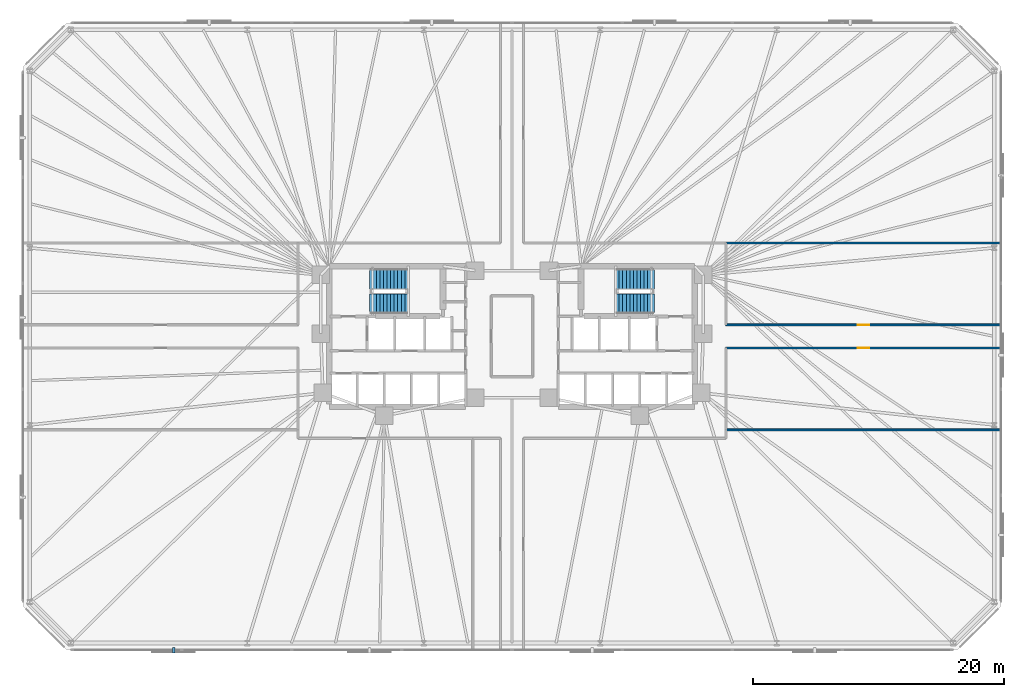
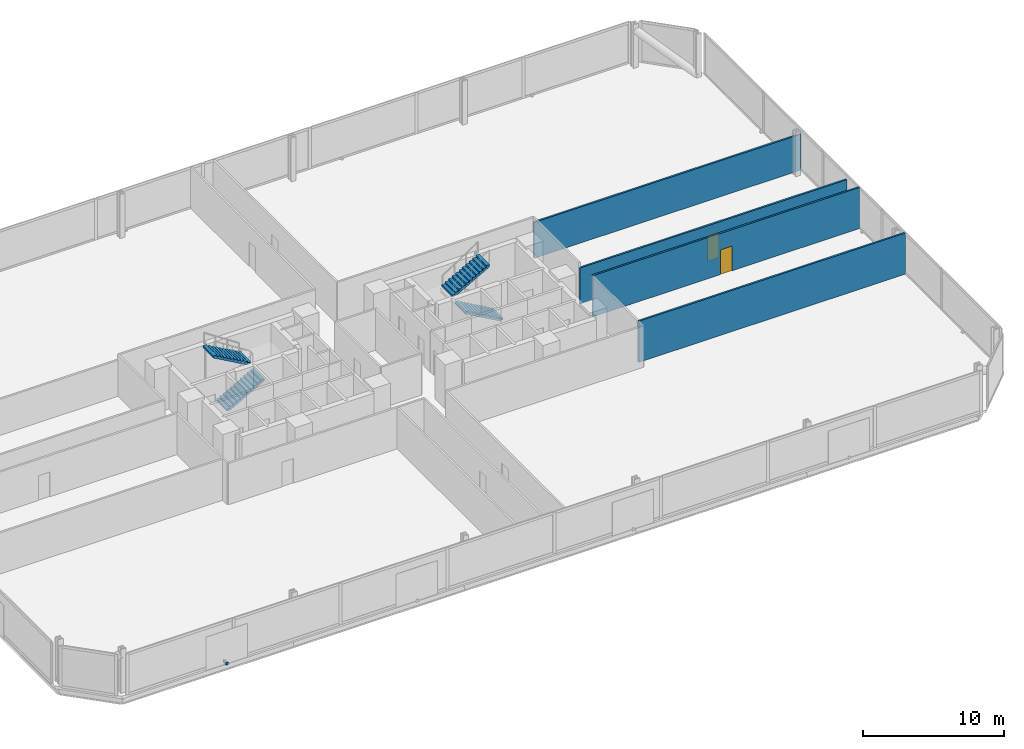
# One storey, part 14 of 16: 4 stair flights, 4 walls, 2 doors, 1 discrete accessory, 2 openings, 2 elements without a shape of their own.
"""IFC4 building model written with IfcOpenShell, lengths in metres."""

from ifc_helpers import new_model, si_unit, direction, frame, frame_2d, origin, origin_2d, place, context, subcontext, project, spatial, polyline, rectangle, outline, extrude, material, layer, layer_set, type_object, element, fill, aggregate, save


model = new_model("IFC4")

# Units and contexts
model_context = context("Model", 3, precision=1e-05, world=origin(), true_north=direction((0.0, 1.0)))
body_context = subcontext(model_context, "Body", "Model", "MODEL_VIEW")
ifc_project = project(units=[si_unit("LENGTHUNIT", "METRE"), si_unit("AREAUNIT", "SQUARE_METRE"), si_unit("VOLUMEUNIT", "CUBIC_METRE"), si_unit("PLANEANGLEUNIT", "RADIAN"), si_unit("MASSUNIT", "GRAM", prefix="KILO")], contexts=[model_context])

# Site, building, storey
site_placement = place(None, origin())
site = spatial("IfcSite", under=ifc_project, at=site_placement, CompositionType="ELEMENT")
building_placement = place(site_placement, origin())
building = spatial("IfcBuilding", under=site, at=building_placement, Name="Menara Jurai Vektor", CompositionType="ELEMENT")
storey_placement = place(building_placement, frame((0.0, 0.0, 67.39990234375)))
storey = spatial("IfcBuildingStorey", under=building, at=storey_placement, Name="L16", CompositionType="ELEMENT", Elevation=67.39990234375)

# Wall, opening, door
ifc_material_1 = material(Name="Gypsum Fireboard Partition", Category="gypsum")
ifc_layer_1 = layer(ifc_material_1, 0.14990234375)
ifc_layer_set_1 = layer_set([ifc_layer_1], Name="Gypsum Fireboard Partition")
wall_type_1 = type_object("IfcWallType", Name="INT-WALL-CORR-150", PredefinedType="PARTITIONING", material=ifc_layer_set_1)
wall_1_placement = place(storey_placement, frame((17.05908203125, -0.919921875, 0.0), z_axis=(0.0, 0.0, 1.0), x_axis=(1.0, 0.0, 0.0)))
wall_1 = element("IfcWall", 1, at=wall_1_placement, inside=storey, type_object=wall_type_1, Name="Interior Wall IW-150 L16", PredefinedType="PARTITIONING", context=body_context, shape_type="SweptSolid", body=[
    extrude(rectangle(XDim=21.94091796875, YDim=0.14990234375, at=frame_2d((10.970458984375, 0.0))), origin(), (0.0, 0.0, 1.0), 3.5751953125),
])
opening_1_placement = place(wall_1_placement, frame((10.49560546875, 0.0, 0.0)))
opening_1 = element("IfcOpeningElement", 2, at=opening_1_placement, cuts=wall_1, Name="Opening D16-14", PredefinedType="OPENING", context=body_context, shape_type="SweptSolid", body=[
    extrude(rectangle(XDim=0.949951171875, YDim=2.14990234375, at=frame_2d((0.47509765625, 1.074951171875))), frame((0.0, 0.0849609375, 0.0), z_axis=(0.0, -1.0, 0.0), x_axis=(1.0, 0.0, 0.0)), (0.0, 0.0, 1.0), 0.169921875),
])
ifc_material_2 = material(Name="Solid Core Timber Fire Door", Category="wood")
door_type = type_object("IfcDoorType", Name="DR-ENTRY-950", OperationType="NOTDEFINED", PredefinedType="DOOR", material=ifc_material_2)
door_1_placement = place(opening_1_placement, origin())
door_1 = element("IfcDoor", 3, at=door_1_placement, inside=storey, type_object=door_type, Name="Interior Door D16-14", OperationType="SINGLE_SWING_LEFT", OverallHeight=2.14990234375, OverallWidth=0.949951171875, PredefinedType="DOOR", context=body_context, shape_type="SweptSolid", body=[
    extrude(rectangle(XDim=0.949951171875, YDim=2.14990234375, at=frame_2d((0.47509765625, 1.074951171875))), frame((0.0, 0.02490234375, 0.0), z_axis=(0.0, -1.0, 0.0), x_axis=(1.0, 0.0, 0.0)), (0.0, 0.0, 1.0), 0.050048828125),
])
fill(opening_1, door_1)

# Wall
wall_2_placement = place(storey_placement, frame((17.05908203125, -7.449951171875, 0.0), z_axis=(0.0, 0.0, 1.0), x_axis=(1.0, 0.0, 0.0)))
element("IfcWall", 4, at=wall_2_placement, inside=storey, type_object=wall_type_1, Name="Interior Wall IW-150 L16", PredefinedType="PARTITIONING", context=body_context, shape_type="SweptSolid", body=[
    extrude(rectangle(XDim=21.94091796875, YDim=0.14990234375, at=frame_2d((10.970458984375, 0.0))), origin(), (0.0, 0.0, 1.0), 3.5751953125),
])

# Wall, opening, door
ifc_layer_2 = layer(ifc_material_1, 0.14990234375)
ifc_layer_set_2 = layer_set([ifc_layer_2], Name="Gypsum Fireboard Partition")
wall_type_2 = type_object("IfcWallType", Name="INT-WALL-CORR-150-H1", PredefinedType="PARTITIONING", material=ifc_layer_set_2)
wall_3_placement = place(storey_placement, frame((17.05908203125, 0.919921875, 0.0), z_axis=(0.0, 0.0, 1.0), x_axis=(1.0, 0.0, 0.0)))
wall_3 = element("IfcWall", 5, at=wall_3_placement, inside=storey, type_object=wall_type_2, Name="Interior Wall IW-150 L16", PredefinedType="PARTITIONING", context=body_context, shape_type="SweptSolid", body=[
    extrude(rectangle(XDim=21.94091796875, YDim=0.14990234375, at=frame_2d((10.970458984375, 0.0))), origin(), (0.0, 0.0, 1.0), 3.125),
])
opening_2_placement = place(wall_3_placement, frame((10.49560546875, 0.0, 0.0)))
opening_2 = element("IfcOpeningElement", 6, at=opening_2_placement, cuts=wall_3, Name="Opening D16-15", PredefinedType="OPENING", context=body_context, shape_type="SweptSolid", body=[
    extrude(rectangle(XDim=0.949951171875, YDim=2.14990234375, at=frame_2d((0.47509765625, 1.074951171875))), frame((0.0, 0.0849609375, 0.0), z_axis=(0.0, -1.0, 0.0), x_axis=(1.0, 0.0, 0.0)), (0.0, 0.0, 1.0), 0.169921875),
])
door_2_placement = place(opening_2_placement, origin())
door_2 = element("IfcDoor", 7, at=door_2_placement, inside=storey, type_object=door_type, Name="Interior Door D16-15", OperationType="SINGLE_SWING_RIGHT", OverallHeight=2.14990234375, OverallWidth=0.949951171875, PredefinedType="DOOR", context=body_context, shape_type="SweptSolid", body=[
    extrude(rectangle(XDim=0.949951171875, YDim=2.14990234375, at=frame_2d((0.47509765625, 1.074951171875))), frame((0.0, 0.02490234375, 0.0), z_axis=(0.0, -1.0, 0.0), x_axis=(1.0, 0.0, 0.0)), (0.0, 0.0, 1.0), 0.050048828125),
])
fill(opening_2, door_2)

# Wall
wall_4_placement = place(storey_placement, frame((17.05908203125, 7.449951171875, 0.0), z_axis=(0.0, 0.0, 1.0), x_axis=(1.0, 0.0, 0.0)))
element("IfcWall", 8, at=wall_4_placement, inside=storey, type_object=wall_type_2, Name="Interior Wall IW-150 L16", PredefinedType="PARTITIONING", context=body_context, shape_type="SweptSolid", body=[
    extrude(rectangle(XDim=21.94091796875, YDim=0.14990234375, at=frame_2d((10.970458984375, 0.0))), origin(), (0.0, 0.0, 1.0), 3.125),
])

# Stair, stair flights
ifc_material_3 = material(Name="Concrete C40/50", Category="concrete")
stair_type = type_object("IfcStairType", Name="STAIR-DOGLEG-1500", PredefinedType="HALF_TURN_STAIR", material=ifc_material_3)
stair_1_placement = place(storey_placement, origin())
stair_1 = element("IfcStair", 9, at=stair_1_placement, inside=storey, type_object=stair_type, Name="Protected Exit Stair ST1 L16", PredefinedType="HALF_TURN_STAIR")
stair_flight_type = type_object("IfcStairFlightType", Name="STAIR-FLIGHT-1500", PredefinedType="STRAIGHT", material=ifc_material_3)
stair_flight_1_placement = place(storey_placement, frame((-11.35009765625, 2.64990234375, 0.0), z_axis=(0.0, 0.0, 1.0), x_axis=(1.0, 0.0, 0.0)))
stair_flight_1 = element("IfcStairFlight", 10, at=stair_flight_1_placement, type_object=stair_flight_type, Name="ST1 flight 1", NumberOfRisers=12, NumberOfTreads=11, PredefinedType="STRAIGHT", RiserHeight=0.158333, TreadLength=0.28, context=body_context, shape_type="SweptSolid", body=[
    extrude(outline(polyline([(0.0, 0.0), (0.0, 0.158447265625), (0.280029296875, 0.158447265625), (0.280029296875, 0.316650390625), (0.56005859375, 0.316650390625), (0.56005859375, 0.47509765625), (0.840087890625, 0.47509765625), (0.840087890625, 0.63330078125), (1.1201171875, 0.63330078125), (1.1201171875, 0.791748046875), (1.39990234375, 0.791748046875), (1.39990234375, 0.949951171875), (1.679931640625, 0.949951171875), (1.679931640625, 1.1083984375), (1.9599609375, 1.1083984375), (1.9599609375, 1.2666015625), (2.239990234375, 1.2666015625), (2.239990234375, 1.425048828125), (2.52001953125, 1.425048828125), (2.52001953125, 1.583251953125), (2.800048828125, 1.583251953125), (2.800048828125, 1.74169921875), (3.080078125, 1.74169921875), (3.080078125, 1.89990234375), (3.080078125, 1.557861328125), (0.324951171875, 0.0), (0.0, 0.0)])), frame((0.0, 0.75, 0.0), z_axis=(0.0, -1.0, 0.0), x_axis=(1.0, 0.0, 0.0)), (0.0, 0.0, 1.0), 1.5),
])
stair_flight_2_placement = place(storey_placement, frame((-8.27001953125, 4.550048828125, 1.900146484375), z_axis=(0.0, 0.0, 1.0), x_axis=(-1.0, 0.0, 0.0)))
stair_flight_2 = element("IfcStairFlight", 11, at=stair_flight_2_placement, type_object=stair_flight_type, Name="ST1 flight 2", NumberOfRisers=12, NumberOfTreads=11, PredefinedType="STRAIGHT", RiserHeight=0.158333, TreadLength=0.28, context=body_context, shape_type="SweptSolid", body=[
    extrude(outline(polyline([(0.0, 0.0), (0.0, 0.158447265625), (0.280029296875, 0.158447265625), (0.280029296875, 0.316650390625), (0.56005859375, 0.316650390625), (0.56005859375, 0.47509765625), (0.840087890625, 0.47509765625), (0.840087890625, 0.63330078125), (1.1201171875, 0.63330078125), (1.1201171875, 0.791748046875), (1.39990234375, 0.791748046875), (1.39990234375, 0.949951171875), (1.679931640625, 0.949951171875), (1.679931640625, 1.1083984375), (1.9599609375, 1.1083984375), (1.9599609375, 1.2666015625), (2.239990234375, 1.2666015625), (2.239990234375, 1.425048828125), (2.52001953125, 1.425048828125), (2.52001953125, 1.583251953125), (2.800048828125, 1.583251953125), (2.800048828125, 1.74169921875), (3.080078125, 1.74169921875), (3.080078125, 1.89990234375), (3.080078125, 1.557861328125), (0.324951171875, 0.0), (0.0, 0.0)])), frame((0.0, 0.75, 0.0), z_axis=(0.0, -1.0, 0.0), x_axis=(1.0, 0.0, 0.0)), (0.0, 0.0, 1.0), 1.5),
])
aggregate(stair_1, [stair_flight_1, stair_flight_2])

stair_2_placement = place(storey_placement, origin())
stair_2 = element("IfcStair", 12, at=stair_2_placement, inside=storey, type_object=stair_type, Name="Protected Exit Stair ST2 L16", PredefinedType="HALF_TURN_STAIR")
stair_flight_3_placement = place(storey_placement, frame((11.35009765625, 2.64990234375, 0.0), z_axis=(0.0, 0.0, 1.0), x_axis=(-1.0, 0.0, 0.0)))
stair_flight_3 = element("IfcStairFlight", 13, at=stair_flight_3_placement, type_object=stair_flight_type, Name="ST2 flight 1", NumberOfRisers=12, NumberOfTreads=11, PredefinedType="STRAIGHT", RiserHeight=0.158333, TreadLength=0.28, context=body_context, shape_type="SweptSolid", body=[
    extrude(outline(polyline([(0.0, 0.0), (0.0, 0.158447265625), (0.280029296875, 0.158447265625), (0.280029296875, 0.316650390625), (0.56005859375, 0.316650390625), (0.56005859375, 0.47509765625), (0.840087890625, 0.47509765625), (0.840087890625, 0.63330078125), (1.1201171875, 0.63330078125), (1.1201171875, 0.791748046875), (1.39990234375, 0.791748046875), (1.39990234375, 0.949951171875), (1.679931640625, 0.949951171875), (1.679931640625, 1.1083984375), (1.9599609375, 1.1083984375), (1.9599609375, 1.2666015625), (2.239990234375, 1.2666015625), (2.239990234375, 1.425048828125), (2.52001953125, 1.425048828125), (2.52001953125, 1.583251953125), (2.800048828125, 1.583251953125), (2.800048828125, 1.74169921875), (3.080078125, 1.74169921875), (3.080078125, 1.89990234375), (3.080078125, 1.557861328125), (0.324951171875, 0.0), (0.0, 0.0)])), frame((0.0, 0.75, 0.0), z_axis=(0.0, -1.0, 0.0), x_axis=(1.0, 0.0, 0.0)), (0.0, 0.0, 1.0), 1.5),
])
stair_flight_4_placement = place(storey_placement, frame((8.27001953125, 4.550048828125, 1.900146484375), z_axis=(0.0, 0.0, 1.0), x_axis=(1.0, 0.0, 0.0)))
stair_flight_4 = element("IfcStairFlight", 14, at=stair_flight_4_placement, type_object=stair_flight_type, Name="ST2 flight 2", NumberOfRisers=12, NumberOfTreads=11, PredefinedType="STRAIGHT", RiserHeight=0.158333, TreadLength=0.28, context=body_context, shape_type="SweptSolid", body=[
    extrude(outline(polyline([(0.0, 0.0), (0.0, 0.158447265625), (0.280029296875, 0.158447265625), (0.280029296875, 0.316650390625), (0.56005859375, 0.316650390625), (0.56005859375, 0.47509765625), (0.840087890625, 0.47509765625), (0.840087890625, 0.63330078125), (1.1201171875, 0.63330078125), (1.1201171875, 0.791748046875), (1.39990234375, 0.791748046875), (1.39990234375, 0.949951171875), (1.679931640625, 0.949951171875), (1.679931640625, 1.1083984375), (1.9599609375, 1.1083984375), (1.9599609375, 1.2666015625), (2.239990234375, 1.2666015625), (2.239990234375, 1.425048828125), (2.52001953125, 1.425048828125), (2.52001953125, 1.583251953125), (2.800048828125, 1.583251953125), (2.800048828125, 1.74169921875), (3.080078125, 1.74169921875), (3.080078125, 1.89990234375), (3.080078125, 1.557861328125), (0.324951171875, 0.0), (0.0, 0.0)])), frame((0.0, 0.75, 0.0), z_axis=(0.0, -1.0, 0.0), x_axis=(1.0, 0.0, 0.0)), (0.0, 0.0, 1.0), 1.5),
])
aggregate(stair_2, [stair_flight_3, stair_flight_4])

# Discrete accessory
ifc_material_4 = material(Name="Steel S355", Category="steel")
discrete_accessory_type = type_object("IfcDiscreteAccessoryType", Name="ENV-ACC-BRACKET", PredefinedType="BRACKET", material=ifc_material_4)
discrete_accessory_placement = place(storey_placement, frame((-26.97998046875, -25.010009765625, -0.1298828125), z_axis=(0.0, 0.0, 1.0), x_axis=(1.0, 0.0, 0.0)))
element("IfcDiscreteAccessory", 15, at=discrete_accessory_placement, inside=storey, type_object=discrete_accessory_type, Name="Solar Screen Stand-Off Bracket L16-S01", PredefinedType="BRACKET", context=body_context, shape_type="SweptSolid", body=[
    extrude(rectangle(XDim=0.179931640625, YDim=0.43994140625, at=origin_2d()), origin(), (0.0, 0.0, 1.0), 0.219970703125),
])

save(model, "model.ifc")
